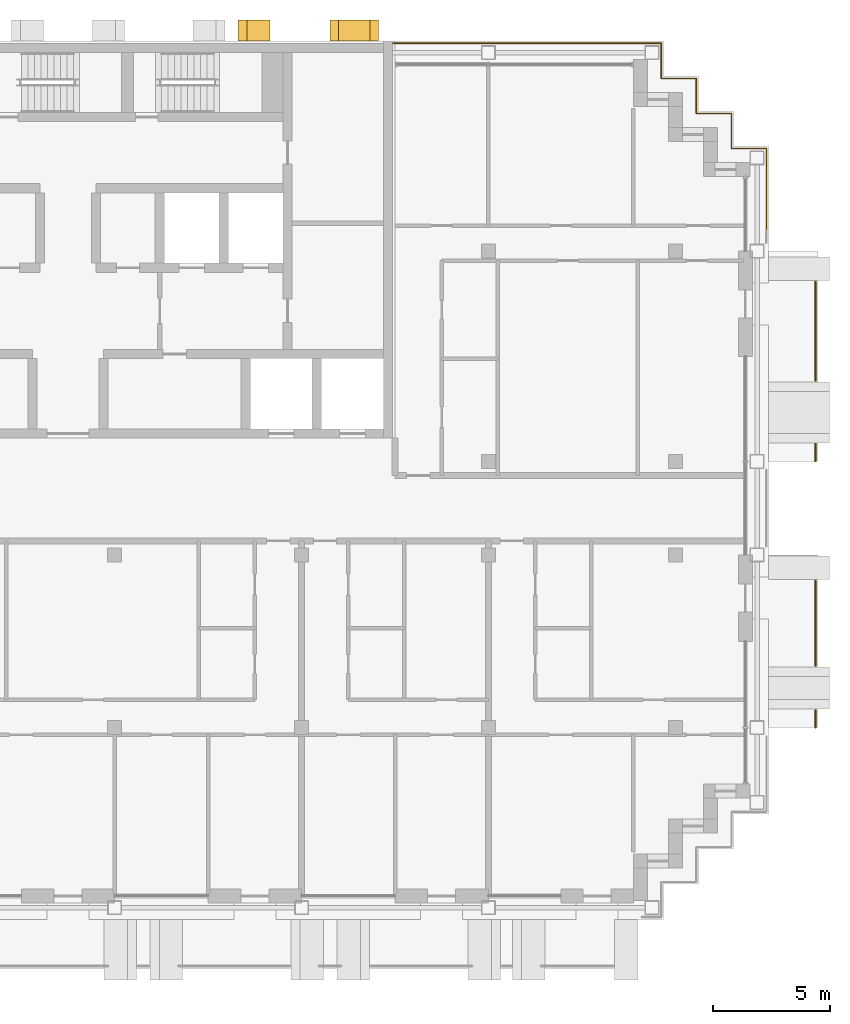
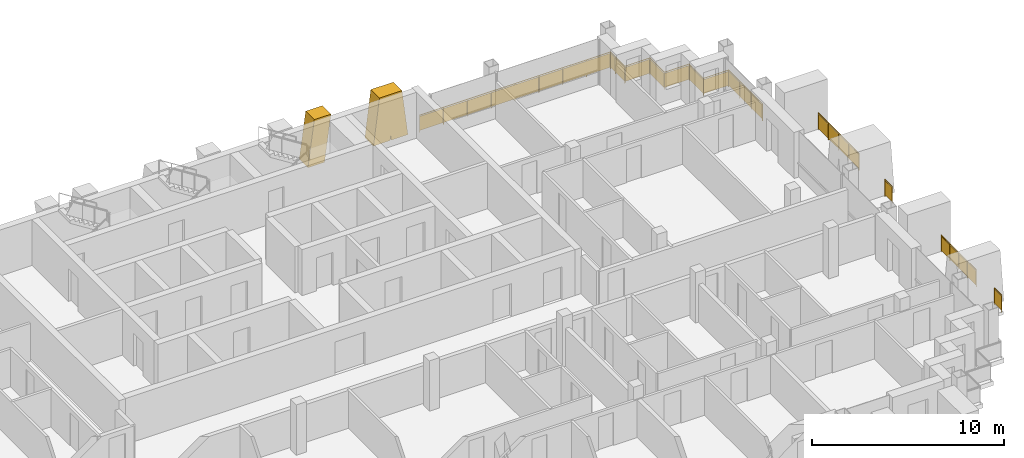
# One storey, part 15 of 15: 6 railings, 2 shading devices.
"""IFC4 building model written with IfcOpenShell, lengths in metres."""

import ifcopenshell
import ifcopenshell.guid

model = None  # the IFC model being written
_history = None  # IfcOwnerHistory: only IFC2X3 demands one
_inside = {}  # id of a spatial element -> (the spatial element, [elements in it])
_under = {}  # id of a project, library or spatial element -> (it, [spatial elements below it])
_declared = {}  # id of a project -> (the project, [libraries it declares])
_typed = {}  # id of a type object -> (the type object, [elements of that type])
_made_of = {}  # id of a material, layer set ... -> (it, [elements and type objects made of it])


def new_model(schema):
    """Start an empty IFC model of exactly this schema.

    Asked for "IFC4X3", IfcOpenShell would pick the latest addendum, in which some entities
    have other attributes; the version numbers below select the first issue.
    IFC2X3 requires an IfcOwnerHistory on every rooted entity: one is made here for all.
    """
    global model, _history
    if schema == "IFC4X3":
        model = ifcopenshell.file(schema_version=(4, 3, 0, 0))
    else:
        model = ifcopenshell.file(schema=schema)
    _inside.clear()
    _under.clear()
    _declared.clear()
    _typed.clear()
    _made_of.clear()
    _history = None
    if model.schema == "IFC2X3":
        org = make("IfcOrganization", Name="unknown")
        user = make(
            "IfcPersonAndOrganization",
            ThePerson=make("IfcPerson", FamilyName="unknown"),
            TheOrganization=org,
        )
        app = make(
            "IfcApplication",
            ApplicationDeveloper=org,
            Version="unknown",
            ApplicationFullName="unknown",
            ApplicationIdentifier="unknown",
        )
        _history = make(
            "IfcOwnerHistory",
            OwningUser=user,
            OwningApplication=app,
            ChangeAction="ADDED",
            CreationDate=0,
        )
    return model


def make(cls, **values):
    """One entity of the class cls with the attributes given. An attribute that is None is left unset."""
    return model.create_entity(
        cls, **{name: value for name, value in values.items() if value is not None}
    )


def rooted(cls, **values):
    """An entity with a GlobalId (a new one), such as an element, a storey or a relation."""
    return make(cls, GlobalId=ifcopenshell.guid.new(), OwnerHistory=_history, **values)


def si_unit(unit_type, name, prefix=None):
    """IfcSIUnit, for example si_unit("LENGTHUNIT", "METRE", prefix="MILLI")."""
    return make("IfcSIUnit", UnitType=unit_type, Prefix=prefix, Name=name)


def assignment(units):
    """IfcUnitAssignment: the units of a project."""
    return None if units is None else make("IfcUnitAssignment", Units=units)


def point(xyz):
    """IfcCartesianPoint."""
    return None if xyz is None else make("IfcCartesianPoint", Coordinates=xyz)


def direction(xyz):
    """IfcDirection."""
    return None if xyz is None else make("IfcDirection", DirectionRatios=xyz)


def frame(location, z_axis=None, x_axis=None):
    """IfcAxis2Placement3D, a coordinate frame: its origin and axes. An axis left out is left unset."""
    return make(
        "IfcAxis2Placement3D",
        Location=point(location),
        Axis=direction(z_axis),
        RefDirection=direction(x_axis),
    )


def frame_2d(location, x_axis=None):
    """IfcAxis2Placement2D, a coordinate frame in the plane: its origin and x axis."""
    return make(
        "IfcAxis2Placement2D", Location=point(location), RefDirection=direction(x_axis)
    )


def origin():
    """The frame at (0, 0, 0) with its axes left unset."""
    return frame((0.0, 0.0, 0.0))


def origin_2d():
    """The frame at (0, 0) in the plane with its x axis left unset."""
    return frame_2d((0.0, 0.0))


def place(relative_to, where):
    """IfcLocalPlacement: puts the frame where relative to a parent placement (None: the world)."""
    return make(
        "IfcLocalPlacement", PlacementRelTo=relative_to, RelativePlacement=where
    )


def context(
    kind, dimensions, precision=None, world=None, true_north=None, identifier=None
):
    """IfcGeometricRepresentationContext, for example the 3D "Model" context."""
    return make(
        "IfcGeometricRepresentationContext",
        ContextIdentifier=identifier,
        ContextType=kind,
        CoordinateSpaceDimension=dimensions,
        Precision=precision,
        WorldCoordinateSystem=world,
        TrueNorth=true_north,
    )


def subcontext(parent, identifier, kind, view, scale=None):
    """IfcGeometricRepresentationSubContext, for example "Body" below "Model"."""
    return make(
        "IfcGeometricRepresentationSubContext",
        ContextIdentifier=identifier,
        ContextType=kind,
        ParentContext=parent,
        TargetScale=scale,
        TargetView=view,
    )


def project(units=None, contexts=None):
    """IfcProject with its units and contexts."""
    return rooted(
        "IfcProject",
        Name="project",
        RepresentationContexts=contexts,
        UnitsInContext=assignment(units),
    )


def spatial(cls, under=None, at=None, **own):
    """A site, building, storey or space (cls), placed at a placement, below another one or the project."""
    s = rooted(cls, ObjectPlacement=at, **own)
    if under is not None:
        _under.setdefault(under.id(), (under, []))[1].append(s)
    return s


def polyline(points):
    """IfcPolyline through the points."""
    return make("IfcPolyline", Points=[point(p) for p in points])


def profile(cls, at=None, kind="AREA", **sizes):
    """A parametric profile (cls). Its sizes go by their IFC names, for example OverallWidth=200.0."""
    return make(cls, ProfileType=kind, Position=at, **sizes)


def rectangle(**sizes):
    """IfcRectangleProfileDef."""
    return profile("IfcRectangleProfileDef", **sizes)


def circle(**sizes):
    """IfcCircleProfileDef."""
    return profile("IfcCircleProfileDef", **sizes)


def outline(outer, holes=None, kind="AREA"):
    """IfcArbitraryClosedProfileDef: a profile drawn as a closed curve; with holes, ...WithVoids."""
    if holes is None:
        return make("IfcArbitraryClosedProfileDef", ProfileType=kind, OuterCurve=outer)
    return make(
        "IfcArbitraryProfileDefWithVoids",
        ProfileType=kind,
        OuterCurve=outer,
        InnerCurves=holes,
    )


def extrude(swept, where, along, depth):
    """IfcExtrudedAreaSolid: the profile swept, set in the frame where, extruded along a direction by depth."""
    return make(
        "IfcExtrudedAreaSolid",
        SweptArea=swept,
        Position=where,
        ExtrudedDirection=direction(along),
        Depth=depth,
    )


def shape(context_of_items, identifier, shape_type, items):
    """IfcShapeRepresentation: the items that make up one representation, for example the "Body"."""
    return make(
        "IfcShapeRepresentation",
        ContextOfItems=context_of_items,
        RepresentationIdentifier=identifier,
        RepresentationType=shape_type,
        Items=items,
    )


def material(Name=None, Category=None):
    """IfcMaterial."""
    return make("IfcMaterial", Name=Name, Category=Category)


def layer(
    of_material, thickness, ventilated=None, Name=None, Category=None, Priority=None
):
    """IfcMaterialLayer: one layer of a wall or slab, of a material (None: an air gap)."""
    return make(
        "IfcMaterialLayer",
        Material=of_material,
        LayerThickness=thickness,
        IsVentilated=ventilated,
        Name=Name,
        Category=Category,
        Priority=Priority,
    )


def layer_set(layers, Name=None):
    """IfcMaterialLayerSet."""
    return make("IfcMaterialLayerSet", MaterialLayers=layers, LayerSetName=Name)


def made_of(thing, what):
    """Note that an element or type object is made of a material, layer set ...; save() writes the relation."""
    if what is not None:
        _made_of.setdefault(what.id(), (what, []))[1].append(thing)
    return thing


def type_object(cls, material=None, **own):
    """A type object (cls), such as IfcWallType, which elements share."""
    return made_of(rooted(cls, **own), material)


def element(
    cls,
    number,
    at=None,
    inside=None,
    cuts=None,
    type_object=None,
    material=None,
    context=None,
    identifier="Body",
    shape_type=None,
    held_by="IfcProductDefinitionShape",
    body=None,
    shapes=None,
    **own,
):
    """One element of the class cls, such as IfcWall. Its Tag is "e" and its number.

    at: its placement. inside: the storey or other place that contains it. cuts: it is an
    opening in that element (IfcRelVoidsElement). A single representation is given by context,
    identifier, shape_type and body (its items); several are given by shapes. held_by: the class
    of the entity that holds the representations. save() writes the other relations.
    """
    e = rooted(cls, Tag="e%d" % number, ObjectPlacement=at, **own)
    if body is not None:
        shapes = [shape(context, identifier, shape_type, body)]
    if shapes is not None:
        e.Representation = make(held_by, Representations=shapes)
    if inside is not None:
        _inside.setdefault(inside.id(), (inside, []))[1].append(e)
    if cuts is not None:
        rooted(
            "IfcRelVoidsElement", RelatingBuildingElement=cuts, RelatedOpeningElement=e
        )
    if type_object is not None:
        _typed.setdefault(type_object.id(), (type_object, []))[1].append(e)
    return made_of(e, material)


def aggregate(whole, parts):
    """IfcRelAggregates: a whole, such as a stair, and the parts it consists of."""
    return rooted("IfcRelAggregates", RelatingObject=whole, RelatedObjects=parts)


def save(model, path):
    """Write the relations noted so far, then the file.

    IfcRelAggregates (storeys below a building ...), IfcRelContainedInSpatialStructure (elements
    in a storey), IfcRelDefinesByType, IfcRelAssociatesMaterial and IfcRelDeclares: one each for
    every whole, place, type object, material and project.
    """
    for whole, parts in _under.values():
        aggregate(whole, parts)
    for where, things in _inside.values():
        rooted(
            "IfcRelContainedInSpatialStructure",
            RelatedElements=things,
            RelatingStructure=where,
        )
    for kind, things in _typed.values():
        rooted("IfcRelDefinesByType", RelatedObjects=things, RelatingType=kind)
    for what, things in _made_of.values():
        rooted("IfcRelAssociatesMaterial", RelatedObjects=things, RelatingMaterial=what)
    for by, libraries in _declared.values():
        rooted("IfcRelDeclares", RelatingContext=by, RelatedDefinitions=libraries)
    model.write(path)


model = new_model("IFC4")

# Units and contexts
model_context = context("Model", 3, precision=1e-05, world=origin(), true_north=direction((0.0, 1.0)))
body_context = subcontext(model_context, "Body", "Model", "MODEL_VIEW")
ifc_project = project(units=[si_unit("LENGTHUNIT", "METRE"), si_unit("AREAUNIT", "SQUARE_METRE"), si_unit("VOLUMEUNIT", "CUBIC_METRE"), si_unit("PLANEANGLEUNIT", "RADIAN"), si_unit("MASSUNIT", "GRAM", prefix="KILO")], contexts=[model_context])

# Site, building, storey
site_placement = place(None, origin())
site = spatial("IfcSite", under=ifc_project, at=site_placement, CompositionType="ELEMENT")
building_placement = place(site_placement, origin())
building = spatial("IfcBuilding", under=site, at=building_placement, Name="Vidyagriha Tower", CompositionType="ELEMENT")
storey_placement = place(building_placement, frame((0.0, 0.0, 214.0)))
storey = spatial("IfcBuildingStorey", under=building, at=storey_placement, Name="L55", CompositionType="ELEMENT", Elevation=214.0)

# Railings
ifc_material_1 = material(Name="Steel ASTM A500 Grade C black painted", Category="steel")
railing_type_1 = type_object("IfcRailingType", Name="Balcony guard 1100", PredefinedType="BALUSTRADE", material=ifc_material_1)
railing_1_placement = place(storey_placement, frame((32.0, -9.39990234375, 0.0)))
element("IfcRailing", 1, at=railing_1_placement, inside=storey, type_object=railing_type_1, Name="Balcony guard L55 R30.1-1", PredefinedType="BALUSTRADE", context=body_context, shape_type="SweptSolid", body=[
    extrude(circle(Radius=0.02490234375, at=origin_2d()), frame((0.0, 0.0, 1.0751953125), z_axis=(0.0, 1.0, 0.0), x_axis=(-1.0, 0.0, 0.0)), (0.0, 0.0, 1.0), 0.75),
    extrude(circle(Radius=0.02001953125, at=origin_2d()), origin(), (0.0, 0.0, 1.0), 1.050048828125),
    extrude(circle(Radius=0.02001953125, at=origin_2d()), frame((0.0, 0.75, 0.0)), (0.0, 0.0, 1.0), 1.050048828125),
    extrude(rectangle(XDim=0.010009765625, YDim=0.900146484375, at=origin_2d()), frame((0.0, 0.0, 0.550048828125), z_axis=(0.0, 1.0, 0.0), x_axis=(-1.0, 0.0, 0.0)), (0.0, 0.0, 1.0), 0.75),
])
railing_2_placement = place(storey_placement, frame((32.0, -6.75, 0.0)))
element("IfcRailing", 2, at=railing_2_placement, inside=storey, type_object=railing_type_1, Name="Balcony guard L55 R30.1-2", PredefinedType="BALUSTRADE", context=body_context, shape_type="SweptSolid", body=[
    extrude(circle(Radius=0.02490234375, at=origin_2d()), frame((0.0, 0.0, 1.0751953125), z_axis=(0.0, 1.0, 0.0), x_axis=(-1.0, 0.0, 0.0)), (0.0, 0.0, 1.0), 3.64990234375),
    extrude(circle(Radius=0.02001953125, at=origin_2d()), origin(), (0.0, 0.0, 1.0), 1.050048828125),
    extrude(circle(Radius=0.02001953125, at=origin_2d()), frame((0.0, 0.91259765625, 0.0)), (0.0, 0.0, 1.0), 1.050048828125),
    extrude(circle(Radius=0.02001953125, at=origin_2d()), frame((0.0, 1.824951171875, 0.0)), (0.0, 0.0, 1.0), 1.050048828125),
    extrude(circle(Radius=0.02001953125, at=origin_2d()), frame((0.0, 2.7373046875, 0.0)), (0.0, 0.0, 1.0), 1.050048828125),
    extrude(circle(Radius=0.02001953125, at=origin_2d()), frame((0.0, 3.64990234375, 0.0)), (0.0, 0.0, 1.0), 1.050048828125),
    extrude(rectangle(XDim=0.010009765625, YDim=0.900146484375, at=origin_2d()), frame((0.0, 0.0, 0.550048828125), z_axis=(0.0, 1.0, 0.0), x_axis=(-1.0, 0.0, 0.0)), (0.0, 0.0, 1.0), 3.64990234375),
])
railing_3_placement = place(storey_placement, frame((32.0, 2.0, 0.0)))
element("IfcRailing", 3, at=railing_3_placement, inside=storey, type_object=railing_type_1, Name="Balcony guard L55 R30.2-1", PredefinedType="BALUSTRADE", context=body_context, shape_type="SweptSolid", body=[
    extrude(circle(Radius=0.02490234375, at=origin_2d()), frame((0.0, 0.0, 1.0751953125), z_axis=(0.0, 1.0, 0.0), x_axis=(-1.0, 0.0, 0.0)), (0.0, 0.0, 1.0), 0.75),
    extrude(circle(Radius=0.02001953125, at=origin_2d()), origin(), (0.0, 0.0, 1.0), 1.050048828125),
    extrude(circle(Radius=0.02001953125, at=origin_2d()), frame((0.0, 0.75, 0.0)), (0.0, 0.0, 1.0), 1.050048828125),
    extrude(rectangle(XDim=0.010009765625, YDim=0.900146484375, at=origin_2d()), frame((0.0, 0.0, 0.550048828125), z_axis=(0.0, 1.0, 0.0), x_axis=(-1.0, 0.0, 0.0)), (0.0, 0.0, 1.0), 0.75),
])
railing_4_placement = place(storey_placement, frame((32.0, 5.449951171875, 0.0)))
element("IfcRailing", 4, at=railing_4_placement, inside=storey, type_object=railing_type_1, Name="Balcony guard L55 R30.2-2", PredefinedType="BALUSTRADE", context=body_context, shape_type="SweptSolid", body=[
    extrude(circle(Radius=0.02490234375, at=origin_2d()), frame((0.0, 0.0, 1.0751953125), z_axis=(0.0, 1.0, 0.0), x_axis=(-1.0, 0.0, 0.0)), (0.0, 0.0, 1.0), 4.25),
    extrude(circle(Radius=0.02001953125, at=origin_2d()), origin(), (0.0, 0.0, 1.0), 1.050048828125),
    extrude(circle(Radius=0.02001953125, at=origin_2d()), frame((0.0, 1.0625, 0.0)), (0.0, 0.0, 1.0), 1.050048828125),
    extrude(circle(Radius=0.02001953125, at=origin_2d()), frame((0.0, 2.125, 0.0)), (0.0, 0.0, 1.0), 1.050048828125),
    extrude(circle(Radius=0.02001953125, at=origin_2d()), frame((0.0, 3.1875, 0.0)), (0.0, 0.0, 1.0), 1.050048828125),
    extrude(circle(Radius=0.02001953125, at=origin_2d()), frame((0.0, 4.25, 0.0)), (0.0, 0.0, 1.0), 1.050048828125),
    extrude(rectangle(XDim=0.010009765625, YDim=0.900146484375, at=origin_2d()), frame((0.0, 0.0, 0.550048828125), z_axis=(0.0, 1.0, 0.0), x_axis=(-1.0, 0.0, 0.0)), (0.0, 0.0, 1.0), 4.25),
])

# Shading devices
ifc_material_2 = material(Name="Precast concrete C40/50 with brick facing", Category="concrete")
ifc_layer_1 = layer(ifc_material_2, 1.0)
ifc_layer_set_1 = layer_set([ifc_layer_1], Name="Precast concrete C40/50 with brick facing")
shading_device_type_1 = type_object("IfcShadingDeviceType", Name="Brick-faced rear rib arm leaning 8 degrees", PredefinedType="USERDEFINED", material=ifc_layer_set_1)
shading_device_1_placement = place(storey_placement, frame((8.656982421875, 20.449951171875, 0.0), z_axis=(0.0, 0.0, 1.0), x_axis=(-1.0, 0.0, 0.0)))
element("IfcShadingDevice", 5, at=shading_device_1_placement, inside=storey, type_object=shading_device_type_1, Name="Rear rib arm L55 R08.2b", ObjectType="BLADE FIN", PredefinedType="USERDEFINED", context=body_context, shape_type="SweptSolid", body=[
    extrude(outline(polyline([(0.3857421875, 0.0), (1.3857421875, 0.0), (1.0, 2.919921875), (0.0, 2.919921875), (0.3857421875, 0.0)])), frame((0.0, 0.449951171875, 0.0), z_axis=(0.0, -1.0, 0.0), x_axis=(1.0, 0.0, 0.0)), (0.0, 0.0, 1.0), 0.89990234375),
])
ifc_material_3 = material(Name="Precast concrete C40/50 with brick facing", Category="concrete")
ifc_layer_2 = layer(ifc_material_3, 1.0)
ifc_layer_set_2 = layer_set([ifc_layer_2], Name="Precast concrete C40/50 with brick facing")
shading_device_type_2 = type_object("IfcShadingDeviceType", Name="Brick-faced rear rib forking 8 degrees", PredefinedType="USERDEFINED", material=ifc_layer_set_2)
shading_device_2_placement = place(storey_placement, frame((13.28564453125, 20.449951171875, 0.0), z_axis=(0.0, 0.0, 1.0), x_axis=(-1.0, 0.0, 0.0)))
element("IfcShadingDevice", 6, at=shading_device_2_placement, inside=storey, type_object=shading_device_type_2, Name="Rear rib fork L55 R08.1a", ObjectType="BLADE FIN", PredefinedType="USERDEFINED", context=body_context, shape_type="SweptSolid", body=[
    extrude(outline(polyline([(1.0, 0.0), (1.03564453125, 0.2919921875), (1.0712890625, 0.0), (2.0712890625, 0.0), (1.71435546875, 2.919921875), (0.357177734375, 2.919921875), (0.0, 0.0), (1.0, 0.0)])), frame((0.0, 0.449951171875, 0.0), z_axis=(0.0, -1.0, 0.0), x_axis=(1.0, 0.0, 0.0)), (0.0, 0.0, 1.0), 0.89990234375),
])

# Railings
ifc_material_4 = material(Name="Steel ASTM A500 Grade C black painted", Category="steel")
railing_type_2 = type_object("IfcRailingType", Name="Gallery guard 1100", PredefinedType="GUARDRAIL", material=ifc_material_4)
railing_5_placement = place(storey_placement, frame((13.929931640625, 19.89990234375, 0.0)))
element("IfcRailing", 7, at=railing_5_placement, inside=storey, type_object=railing_type_2, Name="Gallery guard L55 7", PredefinedType="GUARDRAIL", context=body_context, shape_type="SweptSolid", body=[
    extrude(circle(Radius=0.02490234375, at=origin_2d()), frame((0.0, 0.0, 1.0751953125), z_axis=(1.0, 0.0, 0.0), x_axis=(0.0, 1.0, 0.0)), (0.0, 0.0, 1.0), 11.469970703125),
    extrude(circle(Radius=0.02490234375, at=origin_2d()), frame((11.469970703125, 0.0, 1.0751953125), z_axis=(0.0, -1.0, 0.0), x_axis=(1.0, 0.0, 0.0)), (0.0, 0.0, 1.0), 0.52978515625),
    extrude(circle(Radius=0.02001953125, at=origin_2d()), origin(), (0.0, 0.0, 1.0), 1.050048828125),
    extrude(circle(Radius=0.02001953125, at=origin_2d()), frame((1.433837890625, 0.0, 0.0)), (0.0, 0.0, 1.0), 1.050048828125),
    extrude(circle(Radius=0.02001953125, at=origin_2d()), frame((2.867431640625, 0.0, 0.0)), (0.0, 0.0, 1.0), 1.050048828125),
    extrude(circle(Radius=0.02001953125, at=origin_2d()), frame((4.30126953125, 0.0, 0.0)), (0.0, 0.0, 1.0), 1.050048828125),
    extrude(circle(Radius=0.02001953125, at=origin_2d()), frame((5.73486328125, 0.0, 0.0)), (0.0, 0.0, 1.0), 1.050048828125),
    extrude(circle(Radius=0.02001953125, at=origin_2d()), frame((7.168701171875, 0.0, 0.0)), (0.0, 0.0, 1.0), 1.050048828125),
    extrude(circle(Radius=0.02001953125, at=origin_2d()), frame((8.6025390625, 0.0, 0.0)), (0.0, 0.0, 1.0), 1.050048828125),
    extrude(circle(Radius=0.02001953125, at=origin_2d()), frame((10.0361328125, 0.0, 0.0)), (0.0, 0.0, 1.0), 1.050048828125),
    extrude(circle(Radius=0.02001953125, at=origin_2d()), frame((11.469970703125, 0.0, 0.0)), (0.0, 0.0, 1.0), 1.050048828125),
    extrude(circle(Radius=0.02001953125, at=origin_2d()), frame((11.469970703125, -0.52978515625, 0.0)), (0.0, 0.0, 1.0), 1.050048828125),
    extrude(rectangle(XDim=0.010009765625, YDim=0.900146484375, at=origin_2d()), frame((0.0, 0.0, 0.550048828125), z_axis=(1.0, 0.0, 0.0), x_axis=(0.0, 1.0, 0.0)), (0.0, 0.0, 1.0), 11.469970703125),
    extrude(rectangle(XDim=0.010009765625, YDim=0.900146484375, at=origin_2d()), frame((11.469970703125, 0.0, 0.550048828125), z_axis=(0.0, -1.0, 0.0), x_axis=(1.0, 0.0, 0.0)), (0.0, 0.0, 1.0), 0.52978515625),
])
railing_6_placement = place(storey_placement, frame((25.39990234375, 19.3701171875, 0.0)))
element("IfcRailing", 8, at=railing_6_placement, inside=storey, type_object=railing_type_2, Name="Gallery guard L55 8", PredefinedType="GUARDRAIL", context=body_context, shape_type="SweptSolid", body=[
    extrude(circle(Radius=0.02490234375, at=origin_2d()), frame((0.0, 0.0, 1.0751953125), z_axis=(0.0, -1.0, 0.0), x_axis=(1.0, 0.0, 0.0)), (0.0, 0.0, 1.0), 0.97021484375),
    extrude(circle(Radius=0.02490234375, at=origin_2d()), frame((0.0, -0.97021484375, 1.0751953125), z_axis=(1.0, 0.0, 0.0), x_axis=(0.0, 1.0, 0.0)), (0.0, 0.0, 1.0), 1.5),
    extrude(circle(Radius=0.02490234375, at=origin_2d()), frame((1.5, -0.97021484375, 1.0751953125), z_axis=(0.0, -1.0, 0.0), x_axis=(1.0, 0.0, 0.0)), (0.0, 0.0, 1.0), 1.5),
    extrude(circle(Radius=0.02490234375, at=origin_2d()), frame((1.5, -2.47021484375, 1.0751953125), z_axis=(1.0, 0.0, 0.0), x_axis=(0.0, 1.0, 0.0)), (0.0, 0.0, 1.0), 1.5),
    extrude(circle(Radius=0.02490234375, at=origin_2d()), frame((3.0, -2.47021484375, 1.0751953125), z_axis=(0.0, -1.0, 0.0), x_axis=(1.0, 0.0, 0.0)), (0.0, 0.0, 1.0), 1.5),
    extrude(circle(Radius=0.02490234375, at=origin_2d()), frame((3.0, -3.97021484375, 1.0751953125), z_axis=(1.0, 0.0, 0.0), x_axis=(0.0, 1.0, 0.0)), (0.0, 0.0, 1.0), 1.5),
    extrude(circle(Radius=0.02490234375, at=origin_2d()), frame((4.5, -3.97021484375, 1.0751953125), z_axis=(0.0, -1.0, 0.0), x_axis=(1.0, 0.0, 0.0)), (0.0, 0.0, 1.0), 3.52978515625),
    extrude(circle(Radius=0.02001953125, at=origin_2d()), origin(), (0.0, 0.0, 1.0), 1.050048828125),
    extrude(circle(Radius=0.02001953125, at=origin_2d()), frame((0.0, -0.97021484375, 0.0)), (0.0, 0.0, 1.0), 1.050048828125),
    extrude(circle(Radius=0.02001953125, at=origin_2d()), frame((1.5, -0.97021484375, 0.0)), (0.0, 0.0, 1.0), 1.050048828125),
    extrude(circle(Radius=0.02001953125, at=origin_2d()), frame((1.5, -2.47021484375, 0.0)), (0.0, 0.0, 1.0), 1.050048828125),
    extrude(circle(Radius=0.02001953125, at=origin_2d()), frame((3.0, -2.47021484375, 0.0)), (0.0, 0.0, 1.0), 1.050048828125),
    extrude(circle(Radius=0.02001953125, at=origin_2d()), frame((3.0, -3.97021484375, 0.0)), (0.0, 0.0, 1.0), 1.050048828125),
    extrude(circle(Radius=0.02001953125, at=origin_2d()), frame((4.5, -3.97021484375, 0.0)), (0.0, 0.0, 1.0), 1.050048828125),
    extrude(circle(Radius=0.02001953125, at=origin_2d()), frame((4.5, -5.146728515625, 0.0)), (0.0, 0.0, 1.0), 1.050048828125),
    extrude(circle(Radius=0.02001953125, at=origin_2d()), frame((4.5, -6.323486328125, 0.0)), (0.0, 0.0, 1.0), 1.050048828125),
    extrude(circle(Radius=0.02001953125, at=origin_2d()), frame((4.5, -7.5, 0.0)), (0.0, 0.0, 1.0), 1.050048828125),
    extrude(rectangle(XDim=0.010009765625, YDim=0.900146484375, at=origin_2d()), frame((0.0, 0.0, 0.550048828125), z_axis=(0.0, -1.0, 0.0), x_axis=(1.0, 0.0, 0.0)), (0.0, 0.0, 1.0), 0.97021484375),
    extrude(rectangle(XDim=0.010009765625, YDim=0.900146484375, at=origin_2d()), frame((0.0, -0.97021484375, 0.550048828125), z_axis=(1.0, 0.0, 0.0), x_axis=(0.0, 1.0, 0.0)), (0.0, 0.0, 1.0), 1.5),
    extrude(rectangle(XDim=0.010009765625, YDim=0.900146484375, at=origin_2d()), frame((1.5, -0.97021484375, 0.550048828125), z_axis=(0.0, -1.0, 0.0), x_axis=(1.0, 0.0, 0.0)), (0.0, 0.0, 1.0), 1.5),
    extrude(rectangle(XDim=0.010009765625, YDim=0.900146484375, at=origin_2d()), frame((1.5, -2.47021484375, 0.550048828125), z_axis=(1.0, 0.0, 0.0), x_axis=(0.0, 1.0, 0.0)), (0.0, 0.0, 1.0), 1.5),
    extrude(rectangle(XDim=0.010009765625, YDim=0.900146484375, at=origin_2d()), frame((3.0, -2.47021484375, 0.550048828125), z_axis=(0.0, -1.0, 0.0), x_axis=(1.0, 0.0, 0.0)), (0.0, 0.0, 1.0), 1.5),
    extrude(rectangle(XDim=0.010009765625, YDim=0.900146484375, at=origin_2d()), frame((3.0, -3.97021484375, 0.550048828125), z_axis=(1.0, 0.0, 0.0), x_axis=(0.0, 1.0, 0.0)), (0.0, 0.0, 1.0), 1.5),
    extrude(rectangle(XDim=0.010009765625, YDim=0.900146484375, at=origin_2d()), frame((4.5, -3.97021484375, 0.550048828125), z_axis=(0.0, -1.0, 0.0), x_axis=(1.0, 0.0, 0.0)), (0.0, 0.0, 1.0), 3.52978515625),
])

save(model, "model.ifc")
